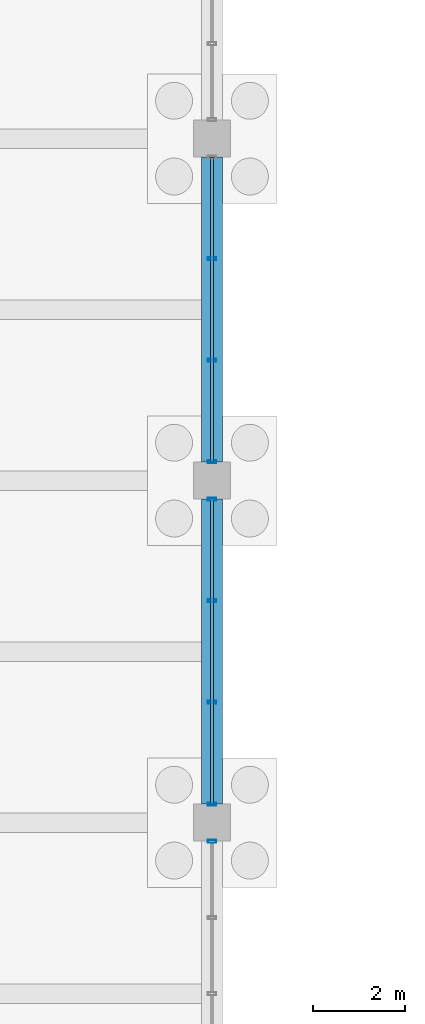
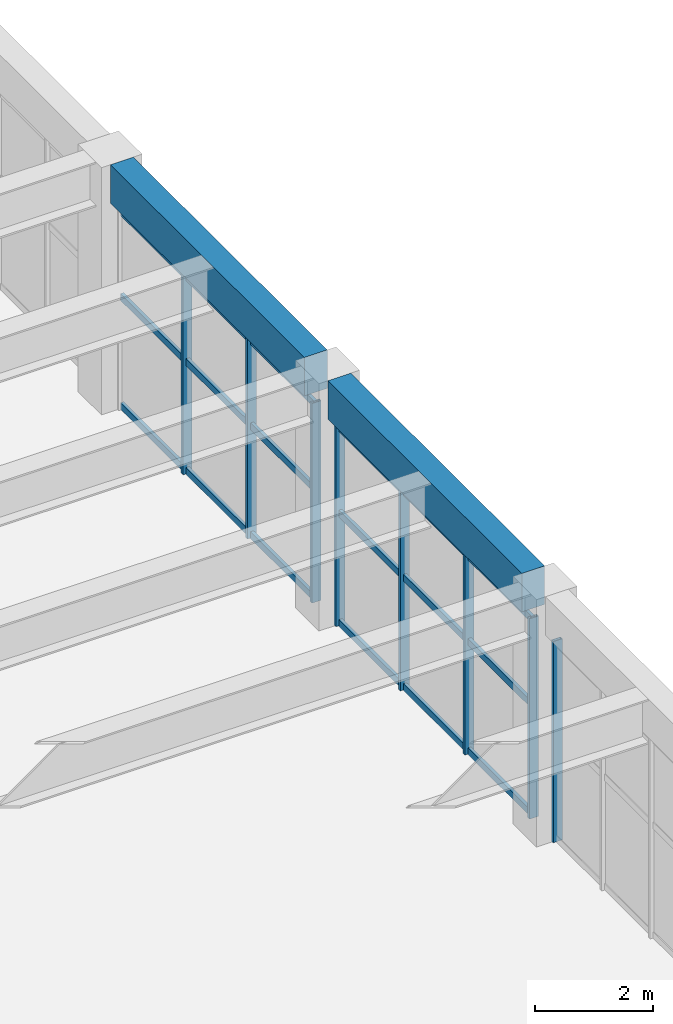
# One storey, part 82 of 140: 14 members, 2 beams, 3 elements without a shape of their own.
"""IFC4 building model written with IfcOpenShell, lengths in metres."""

from ifc_helpers import new_model, si_unit, direction, frame, origin, origin_2d, place, context, subcontext, project, spatial, rectangle, hollow_rectangle, extrude, material, material_profile, profile_set, type_object, element, aggregate, save


model = new_model("IFC4")

# Units and contexts
model_context = context("Model", 3, precision=1e-05, world=origin(), true_north=direction((0.0, 1.0)))
body_context = subcontext(model_context, "Body", "Model", "MODEL_VIEW")
ifc_project = project(units=[si_unit("LENGTHUNIT", "METRE"), si_unit("AREAUNIT", "SQUARE_METRE"), si_unit("VOLUMEUNIT", "CUBIC_METRE"), si_unit("PLANEANGLEUNIT", "RADIAN"), si_unit("MASSUNIT", "GRAM", prefix="KILO")], contexts=[model_context])

# Site, building, storey
site_placement = place(None, origin())
site = spatial("IfcSite", under=ifc_project, at=site_placement, CompositionType="ELEMENT")
building_placement = place(site_placement, origin())
building = spatial("IfcBuilding", under=site, at=building_placement, Name="Cimatlan Art Gallery", CompositionType="ELEMENT")
storey_placement = place(building_placement, origin())
storey = spatial("IfcBuildingStorey", under=building, at=storey_placement, Name="L00", CompositionType="ELEMENT", Elevation=0.0)

# Beams
ifc_material_1 = material(Name="Concrete C40/50", Category="concrete")
ifc_material_profile_1 = material_profile(ifc_material_1, rectangle(XDim=0.449951171875, YDim=0.800048828125, at=origin_2d()), Name="RC450X800")
ifc_profile_set_1 = profile_set([ifc_material_profile_1], Name="Concrete C40/50")
beam_type = type_object("IfcBeamType", Name="BM-RC-450X800", PredefinedType="BEAM", material=ifc_profile_set_1)
for number, where, z_axis, x_axis, name in (
    (1, (99.199951171875, 83.5, 4.735107421875), (0.0, 1.0, 0.0), (-1.0, 0.0, 0.0), "BM-Y-L00-12-11"),
    (2, (99.199951171875, 90.89990234375, 4.735107421875), (0.0, 1.0, 0.0), (-1.0, 0.0, 0.0), "BM-Y-L00-12-12"),
):
    element("IfcBeam", number, at=place(storey_placement, frame(where, z_axis=z_axis, x_axis=x_axis)), inside=storey, type_object=beam_type, Name=name, PredefinedType="BEAM", context=body_context, shape_type="SweptSolid", body=[
        extrude(rectangle(XDim=0.449951171875, YDim=0.800048828125, at=origin_2d()), origin(), (0.0, 0.0, 1.0), 6.60009765625),
    ])

# Curtain wall, member
ifc_material_2 = material(Name="Anodised bronze unitised curtain wall")
curtain_wall_type_1 = type_object("IfcCurtainWallType", Name="CW-V-06592X04178-B4", PredefinedType="NOTDEFINED", material=ifc_material_2)
curtain_wall_1_placement = place(storey_placement, origin())
curtain_wall_1 = element("IfcCurtainWall", 3, at=curtain_wall_1_placement, inside=storey, type_object=curtain_wall_type_1, Name="CW-L00-11-10-E", PredefinedType="NOTDEFINED")
ifc_material_3 = material(Name="Anodised bronze aluminium 6063-T6", Category="aluminium")
ifc_material_profile_2 = material_profile(ifc_material_3, hollow_rectangle(XDim=0.06494140625, YDim=0.179931640625, WallThickness=0.00390625, at=origin_2d()), Name="ALU65X180X4")
ifc_profile_set_2 = profile_set([ifc_material_profile_2], Name="Anodised bronze aluminium 6063-T6")
member_type_1 = type_object("IfcMemberType", Name="CW-MUL-180", PredefinedType="MULLION", material=ifc_profile_set_2)
member_1_placement = place(storey_placement, frame((99.199951171875, 82.696044921875, 0.0), z_axis=(0.0, 0.0, 1.0), x_axis=(0.0, 1.0, 0.0)))
member_1 = element("IfcMember", 4, at=member_1_placement, type_object=member_type_1, Name="CW-L00-11-10-E-M1", PredefinedType="MULLION", context=body_context, shape_type="SweptSolid", body=[
    extrude(hollow_rectangle(XDim=0.06494140625, YDim=0.179931640625, WallThickness=0.00390625, at=origin_2d()), origin(), (0.0, 0.0, 1.0), 4.177978515625),
])
aggregate(curtain_wall_1, [member_1])

# Curtain wall, members
curtain_wall_type_2 = type_object("IfcCurtainWallType", Name="CW-V-06592X04163-B3", PredefinedType="NOTDEFINED", material=ifc_material_2)
curtain_wall_2_placement = place(storey_placement, origin())
curtain_wall_2 = element("IfcCurtainWall", 5, at=curtain_wall_2_placement, inside=storey, type_object=curtain_wall_type_2, Name="CW-L00-11-11-E", PredefinedType="NOTDEFINED")
member_2_placement = place(storey_placement, frame((99.199951171875, 90.095947265625, 0.0), z_axis=(0.0, 0.0, 1.0), x_axis=(0.0, 1.0, 0.0)))
member_2 = element("IfcMember", 6, at=member_2_placement, type_object=member_type_1, Name="CW-L00-11-11-E-M1", PredefinedType="MULLION", context=body_context, shape_type="SweptSolid", body=[
    extrude(hollow_rectangle(XDim=0.06494140625, YDim=0.179931640625, WallThickness=0.00390625, at=origin_2d()), origin(), (0.0, 0.0, 1.0), 4.1630859375),
])
member_3_placement = place(storey_placement, frame((99.199951171875, 87.898681640625, 0.0), z_axis=(0.0, 0.0, 1.0), x_axis=(0.0, 1.0, 0.0)))
member_3 = element("IfcMember", 7, at=member_3_placement, type_object=member_type_1, Name="CW-L00-11-11-E-M2", PredefinedType="MULLION", context=body_context, shape_type="SweptSolid", body=[
    extrude(hollow_rectangle(XDim=0.06494140625, YDim=0.179931640625, WallThickness=0.00390625, at=origin_2d()), origin(), (0.0, 0.0, 1.0), 4.1630859375),
])
member_4_placement = place(storey_placement, frame((99.199951171875, 85.701416015625, 0.0), z_axis=(0.0, 0.0, 1.0), x_axis=(0.0, 1.0, 0.0)))
member_4 = element("IfcMember", 8, at=member_4_placement, type_object=member_type_1, Name="CW-L00-11-11-E-M3", PredefinedType="MULLION", context=body_context, shape_type="SweptSolid", body=[
    extrude(hollow_rectangle(XDim=0.06494140625, YDim=0.179931640625, WallThickness=0.00390625, at=origin_2d()), origin(), (0.0, 0.0, 1.0), 4.1630859375),
])
member_5_placement = place(storey_placement, frame((99.199951171875, 83.50390625, 0.0), z_axis=(0.0, 0.0, 1.0), x_axis=(0.0, 1.0, 0.0)))
member_5 = element("IfcMember", 9, at=member_5_placement, type_object=member_type_1, Name="CW-L00-11-11-E-M4", PredefinedType="MULLION", context=body_context, shape_type="SweptSolid", body=[
    extrude(hollow_rectangle(XDim=0.06494140625, YDim=0.179931640625, WallThickness=0.00390625, at=origin_2d()), origin(), (0.0, 0.0, 1.0), 4.1630859375),
])

curtain_wall_type_3 = type_object("IfcCurtainWallType", Name="CW-V-06592X04148-B3", PredefinedType="NOTDEFINED", material=ifc_material_2)
curtain_wall_3_placement = place(storey_placement, origin())
curtain_wall_3 = element("IfcCurtainWall", 10, at=curtain_wall_3_placement, inside=storey, type_object=curtain_wall_type_3, Name="CW-L00-11-12-E", PredefinedType="NOTDEFINED")
member_6_placement = place(storey_placement, frame((99.199951171875, 95.298583984375, 0.0), z_axis=(0.0, 0.0, 1.0), x_axis=(0.0, 1.0, 0.0)))
member_6 = element("IfcMember", 11, at=member_6_placement, type_object=member_type_1, Name="CW-L00-11-12-E-M2", PredefinedType="MULLION", context=body_context, shape_type="SweptSolid", body=[
    extrude(hollow_rectangle(XDim=0.06494140625, YDim=0.179931640625, WallThickness=0.00390625, at=origin_2d()), origin(), (0.0, 0.0, 1.0), 4.14794921875),
])
member_7_placement = place(storey_placement, frame((99.199951171875, 93.101318359375, 0.0), z_axis=(0.0, 0.0, 1.0), x_axis=(0.0, 1.0, 0.0)))
member_7 = element("IfcMember", 12, at=member_7_placement, type_object=member_type_1, Name="CW-L00-11-12-E-M3", PredefinedType="MULLION", context=body_context, shape_type="SweptSolid", body=[
    extrude(hollow_rectangle(XDim=0.06494140625, YDim=0.179931640625, WallThickness=0.00390625, at=origin_2d()), origin(), (0.0, 0.0, 1.0), 4.14794921875),
])
member_8_placement = place(storey_placement, frame((99.199951171875, 90.904052734375, 0.0), z_axis=(0.0, 0.0, 1.0), x_axis=(0.0, 1.0, 0.0)))
member_8 = element("IfcMember", 13, at=member_8_placement, type_object=member_type_1, Name="CW-L00-11-12-E-M4", PredefinedType="MULLION", context=body_context, shape_type="SweptSolid", body=[
    extrude(hollow_rectangle(XDim=0.06494140625, YDim=0.179931640625, WallThickness=0.00390625, at=origin_2d()), origin(), (0.0, 0.0, 1.0), 4.14794921875),
])

# Member
ifc_material_profile_3 = material_profile(ifc_material_3, hollow_rectangle(XDim=0.06494140625, YDim=0.139892578125, WallThickness=0.00390625, at=origin_2d()), Name="ALU65X140X4")
ifc_profile_set_3 = profile_set([ifc_material_profile_3], Name="Anodised bronze aluminium 6063-T6")
member_type_2 = type_object("IfcMemberType", Name="CW-TRN-140", PredefinedType="USERDEFINED", material=ifc_profile_set_3)
member_9_placement = place(storey_placement, frame((99.199951171875, 90.095947265625, 0.06005859375), z_axis=(0.0, -1.0, 0.0), x_axis=(1.0, 0.0, 0.0)))
member_9 = element("IfcMember", 14, at=member_9_placement, type_object=member_type_2, Name="CW-L00-11-11-E-T1", ObjectType="TRANSOM", PredefinedType="USERDEFINED", context=body_context, shape_type="SweptSolid", body=[
    extrude(hollow_rectangle(XDim=0.06494140625, YDim=0.139892578125, WallThickness=0.00390625, at=origin_2d()), origin(), (0.0, 0.0, 1.0), 6.592041015625),
])

member_10_placement = place(storey_placement, frame((99.199951171875, 90.095947265625, 2.331298828125), z_axis=(0.0, -1.0, 0.0), x_axis=(1.0, 0.0, 0.0)))
member_10 = element("IfcMember", 15, at=member_10_placement, type_object=member_type_2, Name="CW-L00-11-11-E-T2", ObjectType="TRANSOM", PredefinedType="USERDEFINED", context=body_context, shape_type="SweptSolid", body=[
    extrude(hollow_rectangle(XDim=0.06494140625, YDim=0.139892578125, WallThickness=0.00390625, at=origin_2d()), origin(), (0.0, 0.0, 1.0), 6.592041015625),
])

member_11_placement = place(storey_placement, frame((99.199951171875, 90.095947265625, 4.10302734375), z_axis=(0.0, -1.0, 0.0), x_axis=(1.0, 0.0, 0.0)))
member_11 = element("IfcMember", 16, at=member_11_placement, type_object=member_type_2, Name="CW-L00-11-11-E-T3", ObjectType="TRANSOM", PredefinedType="USERDEFINED", context=body_context, shape_type="SweptSolid", body=[
    extrude(hollow_rectangle(XDim=0.06494140625, YDim=0.139892578125, WallThickness=0.00390625, at=origin_2d()), origin(), (0.0, 0.0, 1.0), 6.592041015625),
])

aggregate(curtain_wall_2, [member_2, member_3, member_4, member_5, member_9, member_10, member_11])

member_12_placement = place(storey_placement, frame((99.199951171875, 97.49609375, 0.06005859375), z_axis=(0.0, -1.0, 0.0), x_axis=(1.0, 0.0, 0.0)))
member_12 = element("IfcMember", 17, at=member_12_placement, type_object=member_type_2, Name="CW-L00-11-12-E-T1", ObjectType="TRANSOM", PredefinedType="USERDEFINED", context=body_context, shape_type="SweptSolid", body=[
    extrude(hollow_rectangle(XDim=0.06494140625, YDim=0.139892578125, WallThickness=0.00390625, at=origin_2d()), origin(), (0.0, 0.0, 1.0), 6.592041015625),
])

member_13_placement = place(storey_placement, frame((99.199951171875, 97.49609375, 2.322998046875), z_axis=(0.0, -1.0, 0.0), x_axis=(1.0, 0.0, 0.0)))
member_13 = element("IfcMember", 18, at=member_13_placement, type_object=member_type_2, Name="CW-L00-11-12-E-T2", ObjectType="TRANSOM", PredefinedType="USERDEFINED", context=body_context, shape_type="SweptSolid", body=[
    extrude(hollow_rectangle(XDim=0.06494140625, YDim=0.139892578125, WallThickness=0.00390625, at=origin_2d()), origin(), (0.0, 0.0, 1.0), 6.592041015625),
])

member_14_placement = place(storey_placement, frame((99.199951171875, 97.49609375, 4.087890625), z_axis=(0.0, -1.0, 0.0), x_axis=(1.0, 0.0, 0.0)))
member_14 = element("IfcMember", 19, at=member_14_placement, type_object=member_type_2, Name="CW-L00-11-12-E-T3", ObjectType="TRANSOM", PredefinedType="USERDEFINED", context=body_context, shape_type="SweptSolid", body=[
    extrude(hollow_rectangle(XDim=0.06494140625, YDim=0.139892578125, WallThickness=0.00390625, at=origin_2d()), origin(), (0.0, 0.0, 1.0), 6.592041015625),
])

aggregate(curtain_wall_3, [member_6, member_7, member_8, member_12, member_13, member_14])

save(model, "model.ifc")
